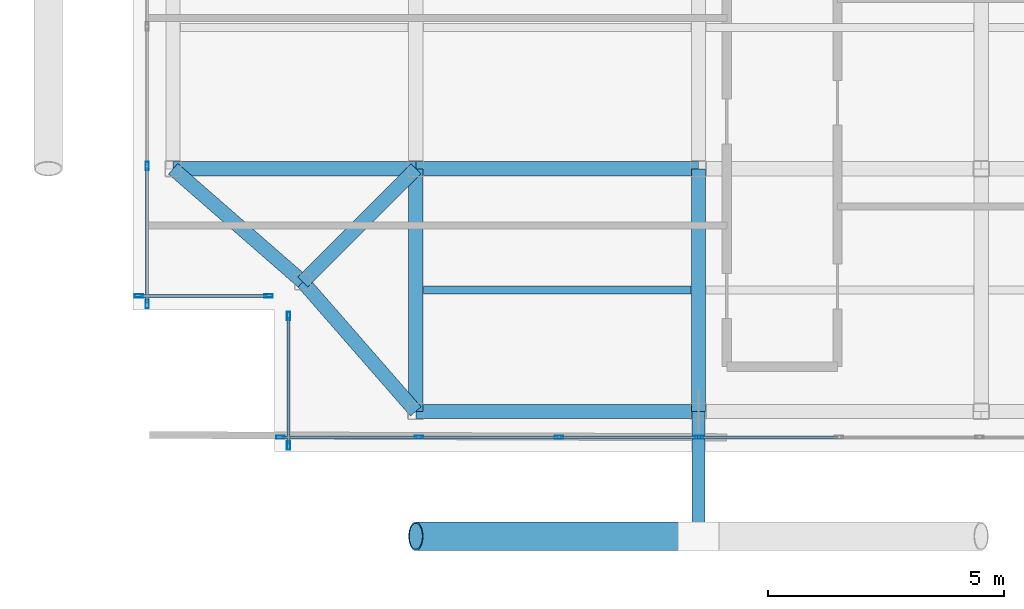
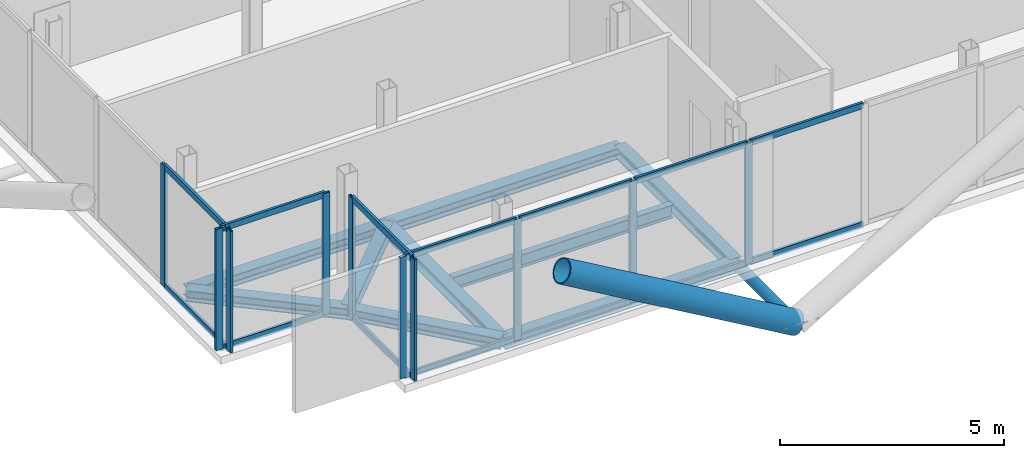
# One storey, part 2 of 18: 26 members, 9 beams, 4 elements without a shape of their own.
"""IFC4 building model written with IfcOpenShell, lengths in metres."""

from ifc_helpers import new_model, si_unit, direction, frame, origin, origin_2d, place, context, subcontext, project, spatial, hollow_rectangle, hollow_circle, i_section, extrude, material, layer, layer_set, material_profile, profile_set, type_object, element, aggregate, save


model = new_model("IFC4")

# Units and contexts
model_context = context("Model", 3, precision=1e-05, world=origin(), true_north=direction((0.0, 1.0)))
body_context = subcontext(model_context, "Body", "Model", "MODEL_VIEW")
ifc_project = project(units=[si_unit("LENGTHUNIT", "METRE"), si_unit("AREAUNIT", "SQUARE_METRE"), si_unit("VOLUMEUNIT", "CUBIC_METRE"), si_unit("PLANEANGLEUNIT", "RADIAN"), si_unit("MASSUNIT", "GRAM", prefix="KILO"), si_unit("THERMODYNAMICTEMPERATUREUNIT", "KELVIN"), si_unit("POWERUNIT", "WATT")], contexts=[model_context])

# Site, building, storey
site_placement = place(None, origin())
site = spatial("IfcSite", under=ifc_project, at=site_placement, CompositionType="ELEMENT")
building_placement = place(site_placement, origin())
building = spatial("IfcBuilding", under=site, at=building_placement, Name="Svarakhadi Broadcast Tower", CompositionType="ELEMENT")
storey_placement = place(building_placement, frame((0.0, 0.0, 274.699951171875)))
storey = spatial("IfcBuildingStorey", under=building, at=storey_placement, Name="L69", CompositionType="ELEMENT", Elevation=274.699951171875)

# Beam
ifc_material_1 = material(Name="Steel S355J2 (IS 2062 E350C)", Category="steel")
ifc_material_profile_1 = material_profile(ifc_material_1, i_section(OverallWidth=0.169921875, OverallDepth=0.360107421875, WebThickness=0.008056640625, FlangeThickness=0.0126953125, FilletRadius=0.01806640625, at=origin_2d()), Name="NPB 360x170x57")
ifc_profile_set_1 = profile_set([ifc_material_profile_1], Name="Steel S355J2 (IS 2062 E350C)")
beam_type_1 = type_object("IfcBeamType", Name="Beam_NPB360", PredefinedType="BEAM", material=ifc_profile_set_1)
beam_1_placement = place(storey_placement, frame((6.159912109375, 3.425048828125, -0.3798828125), z_axis=(1.0, 0.0, 0.0), x_axis=(0.0, 1.0, 0.0)))
element("IfcBeam", 1, at=beam_1_placement, inside=storey, type_object=beam_type_1, Name="L69 Secondary Composite Beam SB004", PredefinedType="BEAM", context=body_context, shape_type="SweptSolid", body=[
    extrude(i_section(OverallWidth=0.169921875, OverallDepth=0.360107421875, WebThickness=0.008056640625, FlangeThickness=0.0126953125, FilletRadius=0.01806640625, at=origin_2d()), origin(), (0.0, 0.0, 1.0), 5.68017578125),
])

# Curtain wall, members
ifc_material_2 = material(Name="Anodised Bronze Aluminium AA 6063-T6", Category="aluminium")
ifc_layer = layer(ifc_material_2, 0.179931640625)
ifc_layer_set = layer_set([ifc_layer], Name="Anodised Bronze Aluminium AA 6063-T6")
curtain_wall_type = type_object("IfcCurtainWallType", Name="CW_Sys_05", PredefinedType="NOTDEFINED", material=ifc_layer_set)
curtain_wall_1_placement = place(storey_placement, origin())
curtain_wall_1 = element("IfcCurtainWall", 2, at=curtain_wall_1_placement, inside=storey, type_object=curtain_wall_type, Name="L69 Unitised Facade Curtain Wall 01", PredefinedType="NOTDEFINED")
ifc_material_profile_2 = material_profile(ifc_material_2, hollow_rectangle(XDim=0.070068359375, YDim=0.179931640625, WallThickness=0.005615234375, at=origin_2d()), Name="ALU MULLION 180x70x6")
ifc_profile_set_2 = profile_set([ifc_material_profile_2], Name="Anodised Bronze Aluminium AA 6063-T6")
member_type_1 = type_object("IfcMemberType", Name="CW_Sys_05_Mul", PredefinedType="MULLION", material=ifc_profile_set_2)
member_1_placement = place(storey_placement, frame((2.875, 3.300048828125, 0.0), z_axis=(0.0, 0.0, 1.0), x_axis=(0.0, -1.0, 0.0)))
member_1 = element("IfcMember", 3, at=member_1_placement, type_object=member_type_1, Name="CW-05 mullion 1", PredefinedType="MULLION", context=body_context, shape_type="SweptSolid", body=[
    extrude(hollow_rectangle(XDim=0.070068359375, YDim=0.179931640625, WallThickness=0.005615234375, at=origin_2d()), origin(), (0.0, 0.0, 1.0), 3.300048828125),
])
member_2_placement = place(storey_placement, frame((0.125, 3.300048828125, 0.0), z_axis=(0.0, 0.0, 1.0), x_axis=(0.0, -1.0, 0.0)))
member_2 = element("IfcMember", 4, at=member_2_placement, type_object=member_type_1, Name="CW-05 mullion 2", PredefinedType="MULLION", context=body_context, shape_type="SweptSolid", body=[
    extrude(hollow_rectangle(XDim=0.070068359375, YDim=0.179931640625, WallThickness=0.005615234375, at=origin_2d()), origin(), (0.0, 0.0, 1.0), 3.300048828125),
])

curtain_wall_2_placement = place(storey_placement, origin())
curtain_wall_2 = element("IfcCurtainWall", 5, at=curtain_wall_2_placement, inside=storey, type_object=curtain_wall_type, Name="L69 West Curtain Wall 02", PredefinedType="NOTDEFINED")
member_3_placement = place(storey_placement, frame((0.300048828125, 3.125, 0.0), z_axis=(0.0, 0.0, 1.0), x_axis=(-1.0, 0.0, 0.0)))
member_3 = element("IfcMember", 6, at=member_3_placement, type_object=member_type_1, Name="CW-05 mullion 1", PredefinedType="MULLION", context=body_context, shape_type="SweptSolid", body=[
    extrude(hollow_rectangle(XDim=0.070068359375, YDim=0.179931640625, WallThickness=0.005615234375, at=origin_2d()), origin(), (0.0, 0.0, 1.0), 3.300048828125),
])
member_4_placement = place(storey_placement, frame((0.300048828125, 6.053955078125, 0.0), z_axis=(0.0, 0.0, 1.0), x_axis=(-1.0, 0.0, 0.0)))
member_4 = element("IfcMember", 7, at=member_4_placement, type_object=member_type_1, Name="CW-05 mullion 2", PredefinedType="MULLION", context=body_context, shape_type="SweptSolid", body=[
    extrude(hollow_rectangle(XDim=0.070068359375, YDim=0.179931640625, WallThickness=0.005615234375, at=origin_2d()), origin(), (0.0, 0.0, 1.0), 3.300048828125),
])

curtain_wall_3_placement = place(storey_placement, origin())
curtain_wall_3 = element("IfcCurtainWall", 8, at=curtain_wall_3_placement, inside=storey, type_object=curtain_wall_type, Name="L69 South Curtain Wall 15", PredefinedType="NOTDEFINED")
member_5_placement = place(storey_placement, frame((12.012939453125, 0.300048828125, 0.0), z_axis=(0.0, 0.0, 1.0), x_axis=(0.0, -1.0, 0.0)))
member_5 = element("IfcMember", 9, at=member_5_placement, type_object=member_type_1, Name="CW-05 mullion 5", PredefinedType="MULLION", context=body_context, shape_type="SweptSolid", body=[
    extrude(hollow_rectangle(XDim=0.070068359375, YDim=0.179931640625, WallThickness=0.005615234375, at=origin_2d()), origin(), (0.0, 0.0, 1.0), 3.300048828125),
])
member_6_placement = place(storey_placement, frame((9.03857421875, 0.300048828125, 0.0), z_axis=(0.0, 0.0, 1.0), x_axis=(0.0, -1.0, 0.0)))
member_6 = element("IfcMember", 10, at=member_6_placement, type_object=member_type_1, Name="CW-05 mullion 6", PredefinedType="MULLION", context=body_context, shape_type="SweptSolid", body=[
    extrude(hollow_rectangle(XDim=0.070068359375, YDim=0.179931640625, WallThickness=0.005615234375, at=origin_2d()), origin(), (0.0, 0.0, 1.0), 3.300048828125),
])
member_7_placement = place(storey_placement, frame((6.064208984375, 0.300048828125, 0.0), z_axis=(0.0, 0.0, 1.0), x_axis=(0.0, -1.0, 0.0)))
member_7 = element("IfcMember", 11, at=member_7_placement, type_object=member_type_1, Name="CW-05 mullion 7", PredefinedType="MULLION", context=body_context, shape_type="SweptSolid", body=[
    extrude(hollow_rectangle(XDim=0.070068359375, YDim=0.179931640625, WallThickness=0.005615234375, at=origin_2d()), origin(), (0.0, 0.0, 1.0), 3.300048828125),
])
member_8_placement = place(storey_placement, frame((3.125, 0.300048828125, 0.0), z_axis=(0.0, 0.0, 1.0), x_axis=(0.0, -1.0, 0.0)))
member_8 = element("IfcMember", 12, at=member_8_placement, type_object=member_type_1, Name="CW-05 mullion 8", PredefinedType="MULLION", context=body_context, shape_type="SweptSolid", body=[
    extrude(hollow_rectangle(XDim=0.070068359375, YDim=0.179931640625, WallThickness=0.005615234375, at=origin_2d()), origin(), (0.0, 0.0, 1.0), 3.300048828125),
])

curtain_wall_4_placement = place(storey_placement, origin())
curtain_wall_4 = element("IfcCurtainWall", 13, at=curtain_wall_4_placement, inside=storey, type_object=curtain_wall_type, Name="L69 Unitised Facade Curtain Wall 16", PredefinedType="NOTDEFINED")
member_9_placement = place(storey_placement, frame((3.300048828125, 0.125, 0.0), z_axis=(0.0, 0.0, 1.0), x_axis=(-1.0, 0.0, 0.0)))
member_9 = element("IfcMember", 14, at=member_9_placement, type_object=member_type_1, Name="CW-05 mullion 1", PredefinedType="MULLION", context=body_context, shape_type="SweptSolid", body=[
    extrude(hollow_rectangle(XDim=0.070068359375, YDim=0.179931640625, WallThickness=0.005615234375, at=origin_2d()), origin(), (0.0, 0.0, 1.0), 3.300048828125),
])
member_10_placement = place(storey_placement, frame((3.300048828125, 2.875, 0.0), z_axis=(0.0, 0.0, 1.0), x_axis=(-1.0, 0.0, 0.0)))
member_10 = element("IfcMember", 15, at=member_10_placement, type_object=member_type_1, Name="CW-05 mullion 2", PredefinedType="MULLION", context=body_context, shape_type="SweptSolid", body=[
    extrude(hollow_rectangle(XDim=0.070068359375, YDim=0.179931640625, WallThickness=0.005615234375, at=origin_2d()), origin(), (0.0, 0.0, 1.0), 3.300048828125),
])

# Member
ifc_material_profile_3 = material_profile(ifc_material_2, hollow_rectangle(XDim=0.06494140625, YDim=0.1650390625, WallThickness=0.0048828125, at=origin_2d()), Name="ALU TRANSOM 165x65x5")
ifc_profile_set_3 = profile_set([ifc_material_profile_3], Name="Anodised Bronze Aluminium AA 6063-T6")
member_type_2 = type_object("IfcMemberType", Name="CW_Sys_05_Trn", PredefinedType="USERDEFINED", material=ifc_profile_set_3)
member_11_placement = place(storey_placement, frame((2.840087890625, 3.300048828125, 0.032470703125), z_axis=(-1.0, 0.0, 0.0), x_axis=(0.0, -1.0, 0.0)))
member_11 = element("IfcMember", 16, at=member_11_placement, type_object=member_type_2, Name="CW-05 transom 1.1", ObjectType="TRANSOM", PredefinedType="USERDEFINED", context=body_context, shape_type="SweptSolid", body=[
    extrude(hollow_rectangle(XDim=0.06494140625, YDim=0.1650390625, WallThickness=0.0048828125, at=origin_2d()), origin(), (0.0, 0.0, 1.0), 2.68017578125),
])

member_12_placement = place(storey_placement, frame((2.840087890625, 3.300048828125, 3.267578125), z_axis=(-1.0, 0.0, 0.0), x_axis=(0.0, -1.0, 0.0)))
member_12 = element("IfcMember", 17, at=member_12_placement, type_object=member_type_2, Name="CW-05 transom 1.2", ObjectType="TRANSOM", PredefinedType="USERDEFINED", context=body_context, shape_type="SweptSolid", body=[
    extrude(hollow_rectangle(XDim=0.06494140625, YDim=0.1650390625, WallThickness=0.0048828125, at=origin_2d()), origin(), (0.0, 0.0, 1.0), 2.68017578125),
])

aggregate(curtain_wall_1, [member_1, member_2, member_11, member_12])

member_13_placement = place(storey_placement, frame((0.300048828125, 3.159912109375, 0.032470703125), z_axis=(0.0, 1.0, 0.0), x_axis=(-1.0, 0.0, 0.0)))
member_13 = element("IfcMember", 18, at=member_13_placement, type_object=member_type_2, Name="CW-05 transom 1.1", ObjectType="TRANSOM", PredefinedType="USERDEFINED", context=body_context, shape_type="SweptSolid", body=[
    extrude(hollow_rectangle(XDim=0.06494140625, YDim=0.1650390625, WallThickness=0.0048828125, at=origin_2d()), origin(), (0.0, 0.0, 1.0), 2.859130859375),
])

member_14_placement = place(storey_placement, frame((0.300048828125, 3.159912109375, 3.267578125), z_axis=(0.0, 1.0, 0.0), x_axis=(-1.0, 0.0, 0.0)))
member_14 = element("IfcMember", 19, at=member_14_placement, type_object=member_type_2, Name="CW-05 transom 1.2", ObjectType="TRANSOM", PredefinedType="USERDEFINED", context=body_context, shape_type="SweptSolid", body=[
    extrude(hollow_rectangle(XDim=0.06494140625, YDim=0.1650390625, WallThickness=0.0048828125, at=origin_2d()), origin(), (0.0, 0.0, 1.0), 2.859130859375),
])

aggregate(curtain_wall_2, [member_3, member_4, member_13, member_14])

member_15_placement = place(storey_placement, frame((14.9521484375, 0.300048828125, 0.032470703125), z_axis=(-1.0, 0.0, 0.0), x_axis=(0.0, -1.0, 0.0)))
member_15 = element("IfcMember", 20, at=member_15_placement, type_object=member_type_2, Name="CW-05 transom 4.1", ObjectType="TRANSOM", PredefinedType="USERDEFINED", context=body_context, shape_type="SweptSolid", body=[
    extrude(hollow_rectangle(XDim=0.06494140625, YDim=0.1650390625, WallThickness=0.0048828125, at=origin_2d()), origin(), (0.0, 0.0, 1.0), 2.904296875),
])

member_16_placement = place(storey_placement, frame((14.9521484375, 0.300048828125, 3.267578125), z_axis=(-1.0, 0.0, 0.0), x_axis=(0.0, -1.0, 0.0)))
member_16 = element("IfcMember", 21, at=member_16_placement, type_object=member_type_2, Name="CW-05 transom 4.2", ObjectType="TRANSOM", PredefinedType="USERDEFINED", context=body_context, shape_type="SweptSolid", body=[
    extrude(hollow_rectangle(XDim=0.06494140625, YDim=0.1650390625, WallThickness=0.0048828125, at=origin_2d()), origin(), (0.0, 0.0, 1.0), 2.904296875),
])

member_17_placement = place(storey_placement, frame((11.977783203125, 0.300048828125, 0.032470703125), z_axis=(-1.0, 0.0, 0.0), x_axis=(0.0, -1.0, 0.0)))
member_17 = element("IfcMember", 22, at=member_17_placement, type_object=member_type_2, Name="CW-05 transom 5.1", ObjectType="TRANSOM", PredefinedType="USERDEFINED", context=body_context, shape_type="SweptSolid", body=[
    extrude(hollow_rectangle(XDim=0.06494140625, YDim=0.1650390625, WallThickness=0.0048828125, at=origin_2d()), origin(), (0.0, 0.0, 1.0), 2.904296875),
])

member_18_placement = place(storey_placement, frame((11.977783203125, 0.300048828125, 3.267578125), z_axis=(-1.0, 0.0, 0.0), x_axis=(0.0, -1.0, 0.0)))
member_18 = element("IfcMember", 23, at=member_18_placement, type_object=member_type_2, Name="CW-05 transom 5.2", ObjectType="TRANSOM", PredefinedType="USERDEFINED", context=body_context, shape_type="SweptSolid", body=[
    extrude(hollow_rectangle(XDim=0.06494140625, YDim=0.1650390625, WallThickness=0.0048828125, at=origin_2d()), origin(), (0.0, 0.0, 1.0), 2.904296875),
])

member_19_placement = place(storey_placement, frame((9.003662109375, 0.300048828125, 0.032470703125), z_axis=(-1.0, 0.0, 0.0), x_axis=(0.0, -1.0, 0.0)))
member_19 = element("IfcMember", 24, at=member_19_placement, type_object=member_type_2, Name="CW-05 transom 6.1", ObjectType="TRANSOM", PredefinedType="USERDEFINED", context=body_context, shape_type="SweptSolid", body=[
    extrude(hollow_rectangle(XDim=0.06494140625, YDim=0.1650390625, WallThickness=0.0048828125, at=origin_2d()), origin(), (0.0, 0.0, 1.0), 2.904296875),
])

member_20_placement = place(storey_placement, frame((9.003662109375, 0.300048828125, 3.267578125), z_axis=(-1.0, 0.0, 0.0), x_axis=(0.0, -1.0, 0.0)))
member_20 = element("IfcMember", 25, at=member_20_placement, type_object=member_type_2, Name="CW-05 transom 6.2", ObjectType="TRANSOM", PredefinedType="USERDEFINED", context=body_context, shape_type="SweptSolid", body=[
    extrude(hollow_rectangle(XDim=0.06494140625, YDim=0.1650390625, WallThickness=0.0048828125, at=origin_2d()), origin(), (0.0, 0.0, 1.0), 2.904296875),
])

member_21_placement = place(storey_placement, frame((6.029296875, 0.300048828125, 0.032470703125), z_axis=(-1.0, 0.0, 0.0), x_axis=(0.0, -1.0, 0.0)))
member_21 = element("IfcMember", 26, at=member_21_placement, type_object=member_type_2, Name="CW-05 transom 7.1", ObjectType="TRANSOM", PredefinedType="USERDEFINED", context=body_context, shape_type="SweptSolid", body=[
    extrude(hollow_rectangle(XDim=0.06494140625, YDim=0.1650390625, WallThickness=0.0048828125, at=origin_2d()), origin(), (0.0, 0.0, 1.0), 2.869384765625),
])

member_22_placement = place(storey_placement, frame((6.029296875, 0.300048828125, 3.267578125), z_axis=(-1.0, 0.0, 0.0), x_axis=(0.0, -1.0, 0.0)))
member_22 = element("IfcMember", 27, at=member_22_placement, type_object=member_type_2, Name="CW-05 transom 7.2", ObjectType="TRANSOM", PredefinedType="USERDEFINED", context=body_context, shape_type="SweptSolid", body=[
    extrude(hollow_rectangle(XDim=0.06494140625, YDim=0.1650390625, WallThickness=0.0048828125, at=origin_2d()), origin(), (0.0, 0.0, 1.0), 2.869384765625),
])

aggregate(curtain_wall_3, [member_5, member_6, member_7, member_8, member_15, member_16, member_17, member_18, member_19, member_20, member_21, member_22])

member_23_placement = place(storey_placement, frame((3.300048828125, 0.159912109375, 0.032470703125), z_axis=(0.0, 1.0, 0.0), x_axis=(-1.0, 0.0, 0.0)))
member_23 = element("IfcMember", 28, at=member_23_placement, type_object=member_type_2, Name="CW-05 transom 1.1", ObjectType="TRANSOM", PredefinedType="USERDEFINED", context=body_context, shape_type="SweptSolid", body=[
    extrude(hollow_rectangle(XDim=0.06494140625, YDim=0.1650390625, WallThickness=0.0048828125, at=origin_2d()), origin(), (0.0, 0.0, 1.0), 2.68017578125),
])

member_24_placement = place(storey_placement, frame((3.300048828125, 0.159912109375, 3.267578125), z_axis=(0.0, 1.0, 0.0), x_axis=(-1.0, 0.0, 0.0)))
member_24 = element("IfcMember", 29, at=member_24_placement, type_object=member_type_2, Name="CW-05 transom 1.2", ObjectType="TRANSOM", PredefinedType="USERDEFINED", context=body_context, shape_type="SweptSolid", body=[
    extrude(hollow_rectangle(XDim=0.06494140625, YDim=0.1650390625, WallThickness=0.0048828125, at=origin_2d()), origin(), (0.0, 0.0, 1.0), 2.68017578125),
])

aggregate(curtain_wall_4, [member_9, member_10, member_23, member_24])

# Members
ifc_material_3 = material(Name="Steel S460ML (IS 2062 E450BR)", Category="steel")
ifc_material_profile_4 = material_profile(ifc_material_3, hollow_circle(Radius=0.304931640625, WallThickness=0.030029296875, at=origin_2d()), Name="CHS 610x30")
ifc_profile_set_4 = profile_set([ifc_material_profile_4], Name="Steel S460ML (IS 2062 E450BR)")
member_type_3 = type_object("IfcMemberType", Name="Exo_Brace_CHS610", PredefinedType="BRACE", material=ifc_profile_set_4)
member_25_placement = place(storey_placement, frame((12.0, -1.800048828125, -0.33642578125), z_axis=(-0.863778900898, 0.0, 0.503871025524), x_axis=(0.0, -1.0, 0.0)))
element("IfcMember", 30, at=member_25_placement, inside=storey, type_object=member_type_3, Name="L69 Exposed Bronze Exoskeleton Diagonal S01", PredefinedType="BRACE", context=body_context, shape_type="SweptSolid", body=[
    extrude(hollow_circle(Radius=0.304931640625, WallThickness=0.030029296875, at=origin_2d()), origin(), (0.0, 0.0, 1.0), 6.9462890625),
])
ifc_material_profile_5 = material_profile(ifc_material_3, hollow_circle(Radius=0.136474609375, WallThickness=0.012451171875, at=origin_2d()), Name="CHS 273x12.5")
ifc_profile_set_5 = profile_set([ifc_material_profile_5], Name="Steel S460ML (IS 2062 E450BR)")
member_type_4 = type_object("IfcMemberType", Name="Exo_Radial_Strut_Z3", PredefinedType="STRUT", material=ifc_profile_set_5)
member_26_placement = place(storey_placement, frame((12.0, -1.800048828125, -0.33642578125), z_axis=(0.0, 1.0, 0.0), x_axis=(-1.0, 0.0, 0.0)))
element("IfcMember", 31, at=member_26_placement, inside=storey, type_object=member_type_4, Name="L69 Exoskeleton Radial Tie Strut S01", PredefinedType="STRUT", context=body_context, shape_type="SweptSolid", body=[
    extrude(hollow_circle(Radius=0.136474609375, WallThickness=0.012451171875, at=origin_2d()), origin(), (0.0, 0.0, 1.0), 2.650146484375),
])

# Beams
ifc_material_profile_6 = material_profile(ifc_material_1, i_section(OverallWidth=0.300048828125, OverallDepth=0.300048828125, WebThickness=0.010986328125, FlangeThickness=0.01904296875, FilletRadius=0.027099609375, at=origin_2d()), Name="WPB 300x300x117")
ifc_profile_set_6 = profile_set([ifc_material_profile_6], Name="Steel S355J2 (IS 2062 E350C)")
beam_type_2 = type_object("IfcBeamType", Name="Girder_WPB300", PredefinedType="USERDEFINED", material=ifc_profile_set_6)
beam_2_placement = place(storey_placement, frame((3.60009765625, 3.60009765625, -0.349853515625), z_axis=(0.707106781187, 0.707106781187, 0.0), x_axis=(-0.707106781187, 0.707106781187, 0.0)))
element("IfcBeam", 32, at=beam_2_placement, inside=storey, type_object=beam_type_2, Name="L69 Corner Tie Girder G001", ObjectType="GIRDER", PredefinedType="USERDEFINED", context=body_context, shape_type="SweptSolid", body=[
    extrude(i_section(OverallWidth=0.300048828125, OverallDepth=0.300048828125, WebThickness=0.010986328125, FlangeThickness=0.01904296875, FilletRadius=0.027099609375, at=origin_2d()), origin(), (0.0, 0.0, 1.0), 3.39404296875),
])
for number, where, z_axis, x_axis, name in (
    (33, (3.60009765625, 3.60009765625, -0.349853515625), (-0.753437912176, 0.657519058655, 0.0), (-0.657519058655, -0.753437912176, 0.0), "L69 Corner Tie Girder G002"),
    (34, (3.60009765625, 3.60009765625, -0.349853515625), (0.657519058655, -0.753437912176, 0.0), (0.753437912176, 0.657519058655, 0.0), "L69 Corner Tie Girder G003"),
):
    element("IfcBeam", number, at=place(storey_placement, frame(where, z_axis=z_axis, x_axis=x_axis)), inside=storey, type_object=beam_type_2, Name=name, ObjectType="GIRDER", PredefinedType="USERDEFINED", context=body_context, shape_type="SweptSolid", body=[
        extrude(i_section(OverallWidth=0.300048828125, OverallDepth=0.300048828125, WebThickness=0.010986328125, FlangeThickness=0.01904296875, FilletRadius=0.027099609375, at=origin_2d()), origin(), (0.0, 0.0, 1.0), 3.64990234375),
    ])
beam_3_placement = place(storey_placement, frame((6.0, 0.85009765625, -0.349853515625), z_axis=(1.0, 0.0, 0.0), x_axis=(0.0, 1.0, 0.0)))
element("IfcBeam", 35, at=beam_3_placement, inside=storey, type_object=beam_type_2, Name="L69 Primary E-W Girder G004", ObjectType="GIRDER", PredefinedType="USERDEFINED", context=body_context, shape_type="SweptSolid", body=[
    extrude(i_section(OverallWidth=0.300048828125, OverallDepth=0.300048828125, WebThickness=0.010986328125, FlangeThickness=0.01904296875, FilletRadius=0.027099609375, at=origin_2d()), origin(), (0.0, 0.0, 1.0), 6.0),
])
beam_4_placement = place(storey_placement, frame((0.85009765625, 6.0, -0.349853515625), z_axis=(1.0, 0.0, 0.0), x_axis=(0.0, 1.0, 0.0)))
element("IfcBeam", 36, at=beam_4_placement, inside=storey, type_object=beam_type_2, Name="L69 Primary E-W Girder G008", ObjectType="GIRDER", PredefinedType="USERDEFINED", context=body_context, shape_type="SweptSolid", body=[
    extrude(i_section(OverallWidth=0.300048828125, OverallDepth=0.300048828125, WebThickness=0.010986328125, FlangeThickness=0.01904296875, FilletRadius=0.027099609375, at=origin_2d()), origin(), (0.0, 0.0, 1.0), 5.14990234375),
])
beam_5_placement = place(storey_placement, frame((6.0, 6.0, -0.349853515625), z_axis=(1.0, 0.0, 0.0), x_axis=(0.0, 1.0, 0.0)))
element("IfcBeam", 37, at=beam_5_placement, inside=storey, type_object=beam_type_2, Name="L69 Primary E-W Girder G009", ObjectType="GIRDER", PredefinedType="USERDEFINED", context=body_context, shape_type="SweptSolid", body=[
    extrude(i_section(OverallWidth=0.300048828125, OverallDepth=0.300048828125, WebThickness=0.010986328125, FlangeThickness=0.01904296875, FilletRadius=0.027099609375, at=origin_2d()), origin(), (0.0, 0.0, 1.0), 6.0),
])
for number, where, z_axis, x_axis, name in (
    (38, (6.0, 0.85009765625, -0.349853515625), (0.0, 1.0, 0.0), (-1.0, 0.0, 0.0), "L69 Primary N-S Girder G029"),
    (39, (12.0, 0.85009765625, -0.349853515625), (0.0, 1.0, 0.0), (-1.0, 0.0, 0.0), "L69 Primary N-S Girder G033"),
):
    element("IfcBeam", number, at=place(storey_placement, frame(where, z_axis=z_axis, x_axis=x_axis)), inside=storey, type_object=beam_type_2, Name=name, ObjectType="GIRDER", PredefinedType="USERDEFINED", context=body_context, shape_type="SweptSolid", body=[
        extrude(i_section(OverallWidth=0.300048828125, OverallDepth=0.300048828125, WebThickness=0.010986328125, FlangeThickness=0.01904296875, FilletRadius=0.027099609375, at=origin_2d()), origin(), (0.0, 0.0, 1.0), 5.14990234375),
    ])

save(model, "model.ifc")
